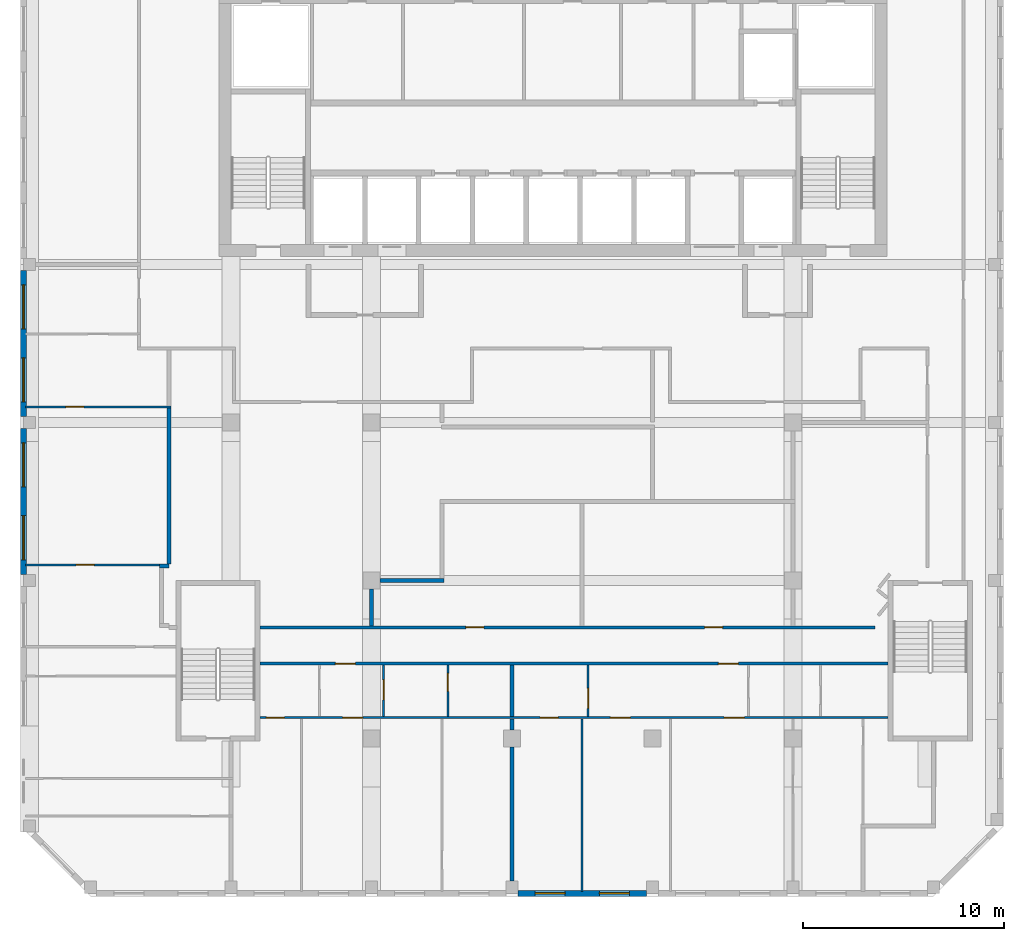
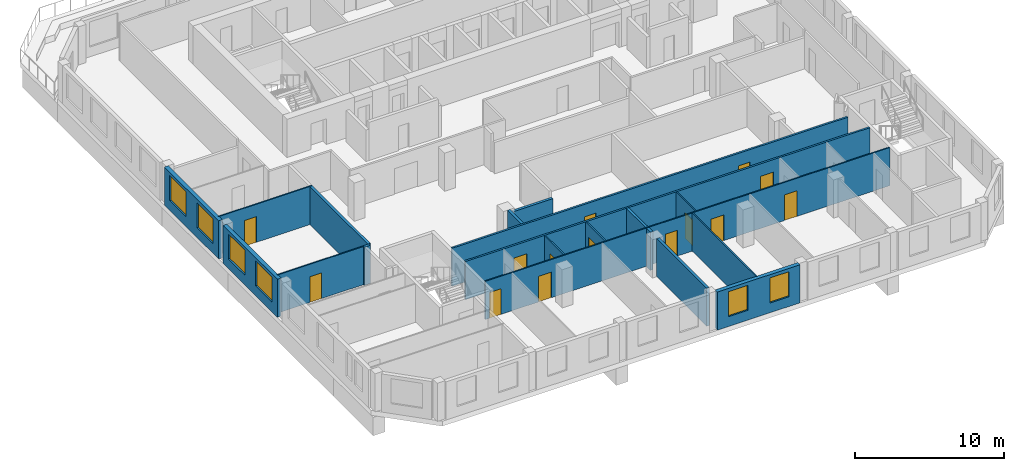
# One storey, part 3 of 12: 19 walls, 14 doors, 6 windows, 20 openings.
"""IFC4 building model written with IfcOpenShell, lengths in metres."""

from ifc_helpers import new_model, si_unit, direction, frame, frame_2d, origin, place, context, subcontext, project, spatial, rectangle, extrude, source, transform, mapped, material, layer, layer_set, type_object, element, fill, save


model = new_model("IFC4")

# Units and contexts
model_context = context("Model", 3, precision=1e-05, world=origin(), true_north=direction((0.0, 1.0)))
body_context = subcontext(model_context, "Body", "Model", "MODEL_VIEW")
ifc_project = project(units=[si_unit("LENGTHUNIT", "METRE"), si_unit("AREAUNIT", "SQUARE_METRE"), si_unit("VOLUMEUNIT", "CUBIC_METRE"), si_unit("PLANEANGLEUNIT", "RADIAN"), si_unit("MASSUNIT", "GRAM", prefix="KILO")], contexts=[model_context])

# Site, building, storey
site_placement = place(None, origin())
site = spatial("IfcSite", under=ifc_project, at=site_placement, CompositionType="ELEMENT")
building_placement = place(site_placement, origin())
building = spatial("IfcBuilding", under=site, at=building_placement, Name="Kilnfold Tower and Market Hall", CompositionType="ELEMENT")
storey_placement = place(building_placement, frame((0.0, 0.0, 295.0)))
storey = spatial("IfcBuildingStorey", under=building, at=storey_placement, Name="L73", CompositionType="ELEMENT", Elevation=295.0)

# Wall, openings, doors
ifc_material_1 = material(Name="Gypsum board on steel studs", Category="steel")
ifc_layer_1 = layer(ifc_material_1, 0.14990234375)
ifc_layer_set_1 = layer_set([ifc_layer_1], Name="Gypsum board on steel studs")
wall_type_1 = type_object("IfcWallType", Name="WALL CORRIDOR 150", PredefinedType="PARTITIONING", material=ifc_layer_set_1)
wall_1_placement = place(storey_placement, frame((-13.550048828125, -11.89990234375, 0.0), z_axis=(0.0, 0.0, 1.0), x_axis=(1.0, 0.0, 0.0)))
wall_1 = element("IfcWall", 1, at=wall_1_placement, inside=storey, type_object=wall_type_1, Name="Partition LY45.4", PredefinedType="PARTITIONING", context=body_context, shape_type="SweptSolid", body=[
    extrude(rectangle(XDim=31.300048828125, YDim=0.14990234375, at=frame_2d((15.64990234375, 0.0))), origin(), (0.0, 0.0, 1.0), 3.1201171875),
])
opening_1_placement = place(wall_1_placement, frame((3.7470703125, 0.0, 0.0)))
opening_1 = element("IfcOpeningElement", 2, at=opening_1_placement, cuts=wall_1, Name="Opening D1", PredefinedType="OPENING", context=body_context, shape_type="SweptSolid", body=[
    extrude(rectangle(XDim=1.0, YDim=2.10009765625, at=frame_2d((0.5, 1.050048828125))), frame((0.0, 0.0849609375, 0.0), z_axis=(0.0, -1.0, 0.0), x_axis=(1.0, 0.0, 0.0)), (0.0, 0.0, 1.0), 0.169921875),
])
opening_2_placement = place(wall_1_placement, frame((22.8349609375, 0.0, 0.0)))
opening_2 = element("IfcOpeningElement", 3, at=opening_2_placement, cuts=wall_1, Name="Opening D1", PredefinedType="OPENING", context=body_context, shape_type="SweptSolid", body=[
    extrude(rectangle(XDim=1.0, YDim=2.10009765625, at=frame_2d((0.5, 1.050048828125))), frame((0.0, 0.0849609375, 0.0), z_axis=(0.0, -1.0, 0.0), x_axis=(1.0, 0.0, 0.0)), (0.0, 0.0, 1.0), 0.169921875),
])
ifc_material_2 = material(Name="Timber veneer door leaf in steel frame", Category="steel")
door_type_1 = type_object("IfcDoorType", Name="DOOR ENTRY 1000 X2100", OperationType="NOTDEFINED", PredefinedType="DOOR", material=ifc_material_2)
door_1_placement = place(opening_1_placement, origin())
door_1 = element("IfcDoor", 4, at=door_1_placement, inside=storey, type_object=door_type_1, Name="Door D1", OperationType="SINGLE_SWING_LEFT", OverallHeight=2.10009765625, OverallWidth=1.0, PredefinedType="DOOR", context=body_context, shape_type="SweptSolid", body=[
    extrude(rectangle(XDim=1.0, YDim=2.10009765625, at=frame_2d((0.5, 1.050048828125))), frame((0.0, 0.02490234375, 0.0), z_axis=(0.0, -1.0, 0.0), x_axis=(1.0, 0.0, 0.0)), (0.0, 0.0, 1.0), 0.050048828125),
])
fill(opening_1, door_1)
door_2_placement = place(opening_2_placement, origin())
door_2 = element("IfcDoor", 5, at=door_2_placement, inside=storey, type_object=door_type_1, Name="Door D1", OperationType="SINGLE_SWING_LEFT", OverallHeight=2.10009765625, OverallWidth=1.0, PredefinedType="DOOR", context=body_context, shape_type="SweptSolid", body=[
    extrude(rectangle(XDim=1.0, YDim=2.10009765625, at=frame_2d((0.5, 1.050048828125))), frame((0.0, 0.02490234375, 0.0), z_axis=(0.0, -1.0, 0.0), x_axis=(1.0, 0.0, 0.0)), (0.0, 0.0, 1.0), 0.050048828125),
])
fill(opening_2, door_2)

wall_2_placement = place(storey_placement, frame((-13.550048828125, -10.10009765625, 0.0), z_axis=(0.0, 0.0, 1.0), x_axis=(1.0, 0.0, 0.0)))
wall_2 = element("IfcWall", 6, at=wall_2_placement, inside=storey, type_object=wall_type_1, Name="Partition LY45.11", PredefinedType="PARTITIONING", context=body_context, shape_type="SweptSolid", body=[
    extrude(rectangle(XDim=30.650146484375, YDim=0.14990234375, at=frame_2d((15.3251953125, 0.0))), origin(), (0.0, 0.0, 1.0), 3.1201171875),
])
opening_3_placement = place(wall_2_placement, frame((10.25, 0.0, 0.0)))
opening_3 = element("IfcOpeningElement", 7, at=opening_3_placement, cuts=wall_2, Name="Opening D2", PredefinedType="OPENING", context=body_context, shape_type="SweptSolid", body=[
    extrude(rectangle(XDim=0.89990234375, YDim=2.10009765625, at=frame_2d((0.449951171875, 1.050048828125))), frame((0.0, 0.0849609375, 0.0), z_axis=(0.0, -1.0, 0.0), x_axis=(1.0, 0.0, 0.0)), (0.0, 0.0, 1.0), 0.169921875),
])
opening_4_placement = place(wall_2_placement, frame((22.153076171875, 0.0, 0.0)))
opening_4 = element("IfcOpeningElement", 8, at=opening_4_placement, cuts=wall_2, Name="Opening D2", PredefinedType="OPENING", context=body_context, shape_type="SweptSolid", body=[
    extrude(rectangle(XDim=0.89990234375, YDim=2.10009765625, at=frame_2d((0.449951171875, 1.050048828125))), frame((0.0, 0.0849609375, 0.0), z_axis=(0.0, -1.0, 0.0), x_axis=(1.0, 0.0, 0.0)), (0.0, 0.0, 1.0), 0.169921875),
])
ifc_material_3 = material(Name="Timber veneer door leaf in steel frame", Category="steel")
door_type_2 = type_object("IfcDoorType", Name="DOOR ROOM 900 X2100", OperationType="NOTDEFINED", PredefinedType="DOOR", material=ifc_material_3)
door_3_placement = place(opening_3_placement, origin())
door_3 = element("IfcDoor", 9, at=door_3_placement, inside=storey, type_object=door_type_2, Name="Door D2", OperationType="SINGLE_SWING_RIGHT", OverallHeight=2.10009765625, OverallWidth=0.89990234375, PredefinedType="DOOR", context=body_context, shape_type="SweptSolid", body=[
    extrude(rectangle(XDim=0.89990234375, YDim=2.10009765625, at=frame_2d((0.449951171875, 1.050048828125))), frame((0.0, 0.02490234375, 0.0), z_axis=(0.0, -1.0, 0.0), x_axis=(1.0, 0.0, 0.0)), (0.0, 0.0, 1.0), 0.050048828125),
])
fill(opening_3, door_3)
door_4_placement = place(opening_4_placement, origin())
door_4 = element("IfcDoor", 10, at=door_4_placement, inside=storey, type_object=door_type_2, Name="Door D2", OperationType="SINGLE_SWING_RIGHT", OverallHeight=2.10009765625, OverallWidth=0.89990234375, PredefinedType="DOOR", context=body_context, shape_type="SweptSolid", body=[
    extrude(rectangle(XDim=0.89990234375, YDim=2.10009765625, at=frame_2d((0.449951171875, 1.050048828125))), frame((0.0, 0.02490234375, 0.0), z_axis=(0.0, -1.0, 0.0), x_axis=(1.0, 0.0, 0.0)), (0.0, 0.0, 1.0), 0.050048828125),
])
fill(opening_4, door_4)

# Wall, opening, door
ifc_material_4 = material(Name="Gypsum board on steel studs", Category="steel")
ifc_layer_2 = layer(ifc_material_4, 0.10009765625)
ifc_layer_set_2 = layer_set([ifc_layer_2], Name="Gypsum board on steel studs")
wall_type_2 = type_object("IfcWallType", Name="WALL PARTITION 100", PredefinedType="PARTITIONING", material=ifc_layer_set_2)
wall_3_placement = place(storey_placement, frame((-18.58203125, -6.98095703125, 0.0), z_axis=(0.0, 0.0, 1.0), x_axis=(-1.0, 0.0, 0.0)))
wall_3 = element("IfcWall", 11, at=wall_3_placement, inside=storey, type_object=wall_type_2, Name="Partition LY45.30", PredefinedType="PARTITIONING", context=body_context, shape_type="SweptSolid", body=[
    extrude(rectangle(XDim=6.66796875, YDim=0.10009765625, at=frame_2d((3.333984375, 0.0))), origin(), (0.0, 0.0, 1.0), 3.1201171875),
])
opening_5_placement = place(wall_3_placement, frame((3.2490234375, 0.0, 0.0)))
opening_5 = element("IfcOpeningElement", 12, at=opening_5_placement, cuts=wall_3, Name="Opening D2", PredefinedType="OPENING", context=body_context, shape_type="SweptSolid", body=[
    extrude(rectangle(XDim=0.89990234375, YDim=2.10009765625, at=frame_2d((0.449951171875, 1.050048828125))), frame((0.0, 0.06005859375, 0.0), z_axis=(0.0, -1.0, 0.0), x_axis=(1.0, 0.0, 0.0)), (0.0, 0.0, 1.0), 0.1201171875),
])
door_5_placement = place(opening_5_placement, origin())
door_5 = element("IfcDoor", 13, at=door_5_placement, inside=storey, type_object=door_type_2, Name="Door D2", OperationType="SINGLE_SWING_RIGHT", OverallHeight=2.10009765625, OverallWidth=0.89990234375, PredefinedType="DOOR", context=body_context, shape_type="SweptSolid", body=[
    extrude(rectangle(XDim=0.89990234375, YDim=2.10009765625, at=frame_2d((0.449951171875, 1.050048828125))), frame((0.0, 0.02490234375, 0.0), z_axis=(0.0, -1.0, 0.0), x_axis=(1.0, 0.0, 0.0)), (0.0, 0.0, 1.0), 0.050048828125),
])
fill(opening_5, door_5)

wall_4_placement = place(storey_placement, frame((-18.0, 0.89404296875, 0.0), z_axis=(0.0, 0.0, 1.0), x_axis=(-1.0, 0.0, 0.0)))
wall_4 = element("IfcWall", 14, at=wall_4_placement, inside=storey, type_object=wall_type_2, Name="Partition LY45.35", PredefinedType="PARTITIONING", context=body_context, shape_type="SweptSolid", body=[
    extrude(rectangle(XDim=7.25, YDim=0.10009765625, at=frame_2d((3.625, 0.0))), origin(), (0.0, 0.0, 1.0), 3.1201171875),
])
opening_6_placement = place(wall_4_placement, frame((4.3349609375, 0.0, 0.0)))
opening_6 = element("IfcOpeningElement", 15, at=opening_6_placement, cuts=wall_4, Name="Opening D2", PredefinedType="OPENING", context=body_context, shape_type="SweptSolid", body=[
    extrude(rectangle(XDim=0.89990234375, YDim=2.10009765625, at=frame_2d((0.449951171875, 1.050048828125))), frame((0.0, 0.06005859375, 0.0), z_axis=(0.0, -1.0, 0.0), x_axis=(1.0, 0.0, 0.0)), (0.0, 0.0, 1.0), 0.1201171875),
])
door_6_placement = place(opening_6_placement, origin())
door_6 = element("IfcDoor", 16, at=door_6_placement, inside=storey, type_object=door_type_2, Name="Door D2", OperationType="SINGLE_SWING_LEFT", OverallHeight=2.10009765625, OverallWidth=0.89990234375, PredefinedType="DOOR", context=body_context, shape_type="SweptSolid", body=[
    extrude(rectangle(XDim=0.89990234375, YDim=2.10009765625, at=frame_2d((0.449951171875, 1.050048828125))), frame((0.0, 0.02490234375, 0.0), z_axis=(0.0, -1.0, 0.0), x_axis=(1.0, 0.0, 0.0)), (0.0, 0.0, 1.0), 0.050048828125),
])
fill(opening_6, door_6)

# Wall, openings, doors
wall_5_placement = place(storey_placement, frame((-13.550048828125, -14.60009765625, 0.0), z_axis=(0.0, 0.0, 1.0), x_axis=(1.0, 0.0, 0.0)))
wall_5 = element("IfcWall", 17, at=wall_5_placement, inside=storey, type_object=wall_type_2, Name="Partition LY45.41", PredefinedType="PARTITIONING", context=body_context, shape_type="SweptSolid", body=[
    extrude(rectangle(XDim=31.300048828125, YDim=0.10009765625, at=frame_2d((15.64990234375, 0.0))), origin(), (0.0, 0.0, 1.0), 3.1201171875),
])
opening_7_placement = place(wall_5_placement, frame((0.30908203125, 0.0, 0.0)))
opening_7 = element("IfcOpeningElement", 18, at=opening_7_placement, cuts=wall_5, Name="Opening D2", PredefinedType="OPENING", context=body_context, shape_type="SweptSolid", body=[
    extrude(rectangle(XDim=0.89990234375, YDim=2.10009765625, at=frame_2d((0.449951171875, 1.050048828125))), frame((0.0, 0.06005859375, 0.0), z_axis=(0.0, -1.0, 0.0), x_axis=(1.0, 0.0, 0.0)), (0.0, 0.0, 1.0), 0.1201171875),
])
opening_8_placement = place(wall_5_placement, frame((4.10302734375, 0.0, 0.0)))
opening_8 = element("IfcOpeningElement", 19, at=opening_8_placement, cuts=wall_5, Name="Opening D1", PredefinedType="OPENING", context=body_context, shape_type="SweptSolid", body=[
    extrude(rectangle(XDim=1.0, YDim=2.10009765625, at=frame_2d((0.5, 1.050048828125))), frame((0.0, 0.06005859375, 0.0), z_axis=(0.0, -1.0, 0.0), x_axis=(1.0, 0.0, 0.0)), (0.0, 0.0, 1.0), 0.1201171875),
])
opening_9_placement = place(wall_5_placement, frame((13.955078125, 0.0, 0.0)))
opening_9 = element("IfcOpeningElement", 20, at=opening_9_placement, cuts=wall_5, Name="Opening D2", PredefinedType="OPENING", context=body_context, shape_type="SweptSolid", body=[
    extrude(rectangle(XDim=0.89990234375, YDim=2.10009765625, at=frame_2d((0.449951171875, 1.050048828125))), frame((0.0, 0.06005859375, 0.0), z_axis=(0.0, -1.0, 0.0), x_axis=(1.0, 0.0, 0.0)), (0.0, 0.0, 1.0), 0.1201171875),
])
opening_10_placement = place(wall_5_placement, frame((17.452880859375, 0.0, 0.0)))
opening_10 = element("IfcOpeningElement", 21, at=opening_10_placement, cuts=wall_5, Name="Opening D1", PredefinedType="OPENING", context=body_context, shape_type="SweptSolid", body=[
    extrude(rectangle(XDim=1.0, YDim=2.10009765625, at=frame_2d((0.5, 1.050048828125))), frame((0.0, 0.06005859375, 0.0), z_axis=(0.0, -1.0, 0.0), x_axis=(1.0, 0.0, 0.0)), (0.0, 0.0, 1.0), 0.1201171875),
])
opening_11_placement = place(wall_5_placement, frame((23.1298828125, 0.0, 0.0)))
opening_11 = element("IfcOpeningElement", 22, at=opening_11_placement, cuts=wall_5, Name="Opening D1", PredefinedType="OPENING", context=body_context, shape_type="SweptSolid", body=[
    extrude(rectangle(XDim=1.0, YDim=2.10009765625, at=frame_2d((0.5, 1.050048828125))), frame((0.0, 0.06005859375, 0.0), z_axis=(0.0, -1.0, 0.0), x_axis=(1.0, 0.0, 0.0)), (0.0, 0.0, 1.0), 0.1201171875),
])
door_7_placement = place(opening_8_placement, origin())
door_7 = element("IfcDoor", 23, at=door_7_placement, inside=storey, type_object=door_type_1, Name="Door D1", OperationType="SINGLE_SWING_RIGHT", OverallHeight=2.10009765625, OverallWidth=1.0, PredefinedType="DOOR", context=body_context, shape_type="SweptSolid", body=[
    extrude(rectangle(XDim=1.0, YDim=2.10009765625, at=frame_2d((0.5, 1.050048828125))), frame((0.0, 0.02490234375, 0.0), z_axis=(0.0, -1.0, 0.0), x_axis=(1.0, 0.0, 0.0)), (0.0, 0.0, 1.0), 0.050048828125),
])
fill(opening_8, door_7)
door_8_placement = place(opening_10_placement, origin())
door_8 = element("IfcDoor", 24, at=door_8_placement, inside=storey, type_object=door_type_1, Name="Door D1", OperationType="SINGLE_SWING_RIGHT", OverallHeight=2.10009765625, OverallWidth=1.0, PredefinedType="DOOR", context=body_context, shape_type="SweptSolid", body=[
    extrude(rectangle(XDim=1.0, YDim=2.10009765625, at=frame_2d((0.5, 1.050048828125))), frame((0.0, 0.02490234375, 0.0), z_axis=(0.0, -1.0, 0.0), x_axis=(1.0, 0.0, 0.0)), (0.0, 0.0, 1.0), 0.050048828125),
])
fill(opening_10, door_8)
door_9_placement = place(opening_11_placement, origin())
door_9 = element("IfcDoor", 25, at=door_9_placement, inside=storey, type_object=door_type_1, Name="Door D1", OperationType="SINGLE_SWING_LEFT", OverallHeight=2.10009765625, OverallWidth=1.0, PredefinedType="DOOR", context=body_context, shape_type="SweptSolid", body=[
    extrude(rectangle(XDim=1.0, YDim=2.10009765625, at=frame_2d((0.5, 1.050048828125))), frame((0.0, 0.02490234375, 0.0), z_axis=(0.0, -1.0, 0.0), x_axis=(1.0, 0.0, 0.0)), (0.0, 0.0, 1.0), 0.050048828125),
])
fill(opening_11, door_9)
door_10_placement = place(opening_7_placement, origin())
door_10 = element("IfcDoor", 26, at=door_10_placement, inside=storey, type_object=door_type_2, Name="Door D2", OperationType="SINGLE_SWING_RIGHT", OverallHeight=2.10009765625, OverallWidth=0.89990234375, PredefinedType="DOOR", context=body_context, shape_type="SweptSolid", body=[
    extrude(rectangle(XDim=0.89990234375, YDim=2.10009765625, at=frame_2d((0.449951171875, 1.050048828125))), frame((0.0, 0.02490234375, 0.0), z_axis=(0.0, -1.0, 0.0), x_axis=(1.0, 0.0, 0.0)), (0.0, 0.0, 1.0), 0.050048828125),
])
fill(opening_7, door_10)
door_11_placement = place(opening_9_placement, origin())
door_11 = element("IfcDoor", 27, at=door_11_placement, inside=storey, type_object=door_type_2, Name="Door D2", OperationType="SINGLE_SWING_LEFT", OverallHeight=2.10009765625, OverallWidth=0.89990234375, PredefinedType="DOOR", context=body_context, shape_type="SweptSolid", body=[
    extrude(rectangle(XDim=0.89990234375, YDim=2.10009765625, at=frame_2d((0.449951171875, 1.050048828125))), frame((0.0, 0.02490234375, 0.0), z_axis=(0.0, -1.0, 0.0), x_axis=(1.0, 0.0, 0.0)), (0.0, 0.0, 1.0), 0.050048828125),
])
fill(opening_9, door_11)

# Wall, opening, door
wall_6_placement = place(storey_placement, frame((-7.39990234375, -14.550048828125, 0.0), z_axis=(0.0, 0.0, 1.0), x_axis=(0.0, 1.0, 0.0)))
wall_6 = element("IfcWall", 28, at=wall_6_placement, inside=storey, type_object=wall_type_2, Name="Partition LY45.42", PredefinedType="PARTITIONING", context=body_context, shape_type="SweptSolid", body=[
    extrude(rectangle(XDim=2.572998046875, YDim=0.10009765625, at=frame_2d((1.28662109375, 0.0))), origin(), (0.0, 0.0, 1.0), 3.1201171875),
])
opening_12_placement = place(wall_6_placement, frame((0.840087890625, 0.0, 0.0)))
opening_12 = element("IfcOpeningElement", 29, at=opening_12_placement, cuts=wall_6, Name="Opening D1", PredefinedType="OPENING", context=body_context, shape_type="SweptSolid", body=[
    extrude(rectangle(XDim=1.0, YDim=2.10009765625, at=frame_2d((0.5, 1.050048828125))), frame((0.0, 0.06005859375, 0.0), z_axis=(0.0, -1.0, 0.0), x_axis=(1.0, 0.0, 0.0)), (0.0, 0.0, 1.0), 0.1201171875),
])
door_12_placement = place(opening_12_placement, origin())
door_12 = element("IfcDoor", 30, at=door_12_placement, inside=storey, type_object=door_type_1, Name="Door D1", OperationType="SINGLE_SWING_LEFT", OverallHeight=2.10009765625, OverallWidth=1.0, PredefinedType="DOOR", context=body_context, shape_type="SweptSolid", body=[
    extrude(rectangle(XDim=1.0, YDim=2.10009765625, at=frame_2d((0.5, 1.050048828125))), frame((0.0, 0.02490234375, 0.0), z_axis=(0.0, -1.0, 0.0), x_axis=(1.0, 0.0, 0.0)), (0.0, 0.0, 1.0), 0.050048828125),
])
fill(opening_12, door_12)

wall_7_placement = place(storey_placement, frame((-4.199951171875, -14.550048828125, 0.0), z_axis=(0.0, 0.0, 1.0), x_axis=(0.0, 1.0, 0.0)))
wall_7 = element("IfcWall", 31, at=wall_7_placement, inside=storey, type_object=wall_type_2, Name="Partition LY45.43", PredefinedType="PARTITIONING", context=body_context, shape_type="SweptSolid", body=[
    extrude(rectangle(XDim=2.572998046875, YDim=0.10009765625, at=frame_2d((1.28662109375, 0.0))), origin(), (0.0, 0.0, 1.0), 3.1201171875),
])
opening_13_placement = place(wall_7_placement, frame((1.260986328125, 0.0, 0.0)))
opening_13 = element("IfcOpeningElement", 32, at=opening_13_placement, cuts=wall_7, Name="Opening D2", PredefinedType="OPENING", context=body_context, shape_type="SweptSolid", body=[
    extrude(rectangle(XDim=0.89990234375, YDim=2.10009765625, at=frame_2d((0.449951171875, 1.050048828125))), frame((0.0, 0.06005859375, 0.0), z_axis=(0.0, -1.0, 0.0), x_axis=(1.0, 0.0, 0.0)), (0.0, 0.0, 1.0), 0.1201171875),
])
door_13_placement = place(opening_13_placement, origin())
door_13 = element("IfcDoor", 33, at=door_13_placement, inside=storey, type_object=door_type_2, Name="Door D2", OperationType="SINGLE_SWING_LEFT", OverallHeight=2.10009765625, OverallWidth=0.89990234375, PredefinedType="DOOR", context=body_context, shape_type="SweptSolid", body=[
    extrude(rectangle(XDim=0.89990234375, YDim=2.10009765625, at=frame_2d((0.449951171875, 1.050048828125))), frame((0.0, 0.02490234375, 0.0), z_axis=(0.0, -1.0, 0.0), x_axis=(1.0, 0.0, 0.0)), (0.0, 0.0, 1.0), 0.050048828125),
])
fill(opening_13, door_13)

wall_8_placement = place(storey_placement, frame((2.800048828125, -14.550048828125, 0.0), z_axis=(0.0, 0.0, 1.0), x_axis=(0.0, 1.0, 0.0)))
wall_8 = element("IfcWall", 34, at=wall_8_placement, inside=storey, type_object=wall_type_2, Name="Partition LY45.49", PredefinedType="PARTITIONING", context=body_context, shape_type="SweptSolid", body=[
    extrude(rectangle(XDim=2.572998046875, YDim=0.10009765625, at=frame_2d((1.28662109375, 0.0))), origin(), (0.0, 0.0, 1.0), 3.1201171875),
])
opening_14_placement = place(wall_8_placement, frame((0.4130859375, 0.0, 0.0)))
opening_14 = element("IfcOpeningElement", 35, at=opening_14_placement, cuts=wall_8, Name="Opening D1", PredefinedType="OPENING", context=body_context, shape_type="SweptSolid", body=[
    extrude(rectangle(XDim=1.0, YDim=2.10009765625, at=frame_2d((0.5, 1.050048828125))), frame((0.0, 0.06005859375, 0.0), z_axis=(0.0, -1.0, 0.0), x_axis=(1.0, 0.0, 0.0)), (0.0, 0.0, 1.0), 0.1201171875),
])
door_14_placement = place(opening_14_placement, origin())
door_14 = element("IfcDoor", 36, at=door_14_placement, inside=storey, type_object=door_type_1, Name="Door D1", OperationType="SINGLE_SWING_RIGHT", OverallHeight=2.10009765625, OverallWidth=1.0, PredefinedType="DOOR", context=body_context, shape_type="SweptSolid", body=[
    extrude(rectangle(XDim=1.0, YDim=2.10009765625, at=frame_2d((0.5, 1.050048828125))), frame((0.0, 0.02490234375, 0.0), z_axis=(0.0, -1.0, 0.0), x_axis=(1.0, 0.0, 0.0)), (0.0, 0.0, 1.0), 0.050048828125),
])
fill(opening_14, door_14)

# Walls
wall_9_placement = place(storey_placement, frame((2.5, -23.25, 0.0), z_axis=(0.0, 0.0, 1.0), x_axis=(0.0, 1.0, 0.0)))
element("IfcWall", 37, at=wall_9_placement, inside=storey, type_object=wall_type_2, Name="Partition LY45.52", PredefinedType="PARTITIONING", context=body_context, shape_type="SweptSolid", body=[
    extrude(rectangle(XDim=8.597900390625, YDim=0.10009765625, at=frame_2d((4.298828125, 0.0))), origin(), (0.0, 0.0, 1.0), 3.1201171875),
])
ifc_material_5 = material(Name="Gypsum board on steel studs", Category="steel")
ifc_layer_3 = layer(ifc_material_5, 0.199951171875)
ifc_layer_set_3 = layer_set([ifc_layer_3], Name="Gypsum board on steel studs")
wall_type_3 = type_object("IfcWallType", Name="WALL PARTY 200", PredefinedType="PARTITIONING", material=ifc_layer_set_3)
wall_10_placement = place(storey_placement, frame((-18.58203125, -7.029052734375, 0.0), z_axis=(0.0, 0.0, 1.0), x_axis=(1.0, 0.0, 0.0)))
element("IfcWall", 38, at=wall_10_placement, inside=storey, type_object=wall_type_3, Name="Partition LY45.32", PredefinedType="PARTITIONING", context=body_context, shape_type="SweptSolid", body=[
    extrude(rectangle(XDim=0.48193359375, YDim=0.199951171875, at=frame_2d((0.240966796875, 0.0))), origin(), (0.0, 0.0, 1.0), 3.1201171875),
])
wall_11_placement = place(storey_placement, frame((-18.10009765625, -6.930908203125, 0.0), z_axis=(0.0, 0.0, 1.0), x_axis=(0.0, 1.0, 0.0)))
element("IfcWall", 39, at=wall_11_placement, inside=storey, type_object=wall_type_3, Name="Partition LY45.36", PredefinedType="PARTITIONING", context=body_context, shape_type="SweptSolid", body=[
    extrude(rectangle(XDim=7.77490234375, YDim=0.199951171875, at=frame_2d((3.887451171875, 0.0))), origin(), (0.0, 0.0, 1.0), 3.1201171875),
])
wall_12_placement = place(storey_placement, frame((-1.0, -14.550048828125, 0.0), z_axis=(0.0, 0.0, 1.0), x_axis=(0.0, 1.0, 0.0)))
element("IfcWall", 40, at=wall_12_placement, inside=storey, type_object=wall_type_3, Name="Partition LY45.44", PredefinedType="PARTITIONING", context=body_context, shape_type="SweptSolid", body=[
    extrude(rectangle(XDim=2.572998046875, YDim=0.199951171875, at=frame_2d((1.28662109375, 0.0))), origin(), (0.0, 0.0, 1.0), 3.1201171875),
])
wall_13_placement = place(storey_placement, frame((-1.0, -15.199951171875, 0.0), z_axis=(0.0, 0.0, 1.0), x_axis=(0.0, 1.0, 0.0)))
element("IfcWall", 41, at=wall_13_placement, inside=storey, type_object=wall_type_3, Name="Partition LY45.47", PredefinedType="PARTITIONING", context=body_context, shape_type="SweptSolid", body=[
    extrude(rectangle(XDim=0.5478515625, YDim=0.199951171875, at=frame_2d((0.27392578125, 0.0))), origin(), (0.0, 0.0, 1.0), 3.1201171875),
])
wall_14_placement = place(storey_placement, frame((-1.0, -22.75, 0.0), z_axis=(0.0, 0.0, 1.0), x_axis=(0.0, 1.0, 0.0)))
element("IfcWall", 42, at=wall_14_placement, inside=storey, type_object=wall_type_3, Name="Partition LY45.48", PredefinedType="PARTITIONING", context=body_context, shape_type="SweptSolid", body=[
    extrude(rectangle(XDim=6.699951171875, YDim=0.199951171875, at=frame_2d((3.35009765625, 0.0))), origin(), (0.0, 0.0, 1.0), 3.1201171875),
])
wall_15_placement = place(storey_placement, frame((-7.574951171875, -7.75, 0.0), z_axis=(0.0, 0.0, 1.0), x_axis=(1.0, 0.0, 0.0)))
element("IfcWall", 43, at=wall_15_placement, inside=storey, type_object=wall_type_3, Name="Partition LY45.64", PredefinedType="PARTITIONING", context=body_context, shape_type="SweptSolid", body=[
    extrude(rectangle(XDim=3.175048828125, YDim=0.199951171875, at=frame_2d((1.58740234375, 0.0))), origin(), (0.0, 0.0, 1.0), 2.570068359375),
])
wall_16_placement = place(storey_placement, frame((-8.0, -10.02294921875, 0.0), z_axis=(0.0, 0.0, 1.0), x_axis=(0.0, 1.0, 0.0)))
element("IfcWall", 44, at=wall_16_placement, inside=storey, type_object=wall_type_3, Name="Partition LY45.65", PredefinedType="PARTITIONING", context=body_context, shape_type="SweptSolid", body=[
    extrude(rectangle(XDim=1.847900390625, YDim=0.199951171875, at=frame_2d((0.923828125, 0.0))), origin(), (0.0, 0.0, 1.0), 3.1201171875),
])

# Wall, openings, windows
ifc_material_6 = material(Name="Precast concrete C50/60", Category="concrete")
ifc_layer_4 = layer(ifc_material_6, 0.300048828125)
ifc_layer_set_4 = layer_set([ifc_layer_4], Name="Precast concrete C50/60")
wall_type_4 = type_object("IfcWallType", Name="PRECAST WALL 300", PredefinedType="SOLIDWALL", material=ifc_layer_set_4)
shared_shape_1 = source(origin(), body_context, "Body", "SweptSolid", [
    extrude(rectangle(XDim=6.39990234375, YDim=0.300048828125, at=frame_2d((3.199951171875, 0.0))), origin(), (0.0, 0.0, 1.0), 3.1201171875),
])
wall_17_placement = place(storey_placement, frame((-0.699951171875, -23.35009765625, 0.0), z_axis=(0.0, 0.0, 1.0), x_axis=(1.0, 0.0, 0.0)))
wall_17 = element("IfcWall", 45, at=wall_17_placement, inside=storey, type_object=wall_type_4, Name="External wall L73 S", PredefinedType="SOLIDWALL", context=body_context, shape_type="MappedRepresentation", body=[
    mapped(shared_shape_1, transform((0.0, 0.0, 0.0))),
])
opening_15_placement = place(wall_17_placement, frame((0.85009765625, 0.0, 0.800048828125)))
opening_15 = element("IfcOpeningElement", 46, at=opening_15_placement, cuts=wall_17, Name="Opening W5", PredefinedType="OPENING", context=body_context, shape_type="SweptSolid", body=[
    extrude(rectangle(XDim=1.5, YDim=2.050048828125, at=frame_2d((0.75, 1.02490234375))), frame((0.0, 0.16015625, 0.0), z_axis=(0.0, -1.0, 0.0), x_axis=(1.0, 0.0, 0.0)), (0.0, 0.0, 1.0), 0.320068359375),
])
opening_16_placement = place(wall_17_placement, frame((4.050048828125, 0.0, 0.800048828125)))
opening_16 = element("IfcOpeningElement", 47, at=opening_16_placement, cuts=wall_17, Name="Opening W5", PredefinedType="OPENING", context=body_context, shape_type="SweptSolid", body=[
    extrude(rectangle(XDim=1.5, YDim=2.050048828125, at=frame_2d((0.75, 1.02490234375))), frame((0.0, 0.16015625, 0.0), z_axis=(0.0, -1.0, 0.0), x_axis=(1.0, 0.0, 0.0)), (0.0, 0.0, 1.0), 0.320068359375),
])
ifc_material_7 = material(Name="Aluminium frame and double glazing", Category="aluminium")
window_type_1 = type_object("IfcWindowType", Name="WINDOW W5 1500X2050", PartitioningType="SINGLE_PANEL", PredefinedType="WINDOW", material=ifc_material_7)
window_1_placement = place(opening_15_placement, origin())
window_1 = element("IfcWindow", 48, at=window_1_placement, inside=storey, type_object=window_type_1, Name="Window W5 L73 S-1", OverallHeight=2.050048828125, OverallWidth=1.5, PartitioningType="SINGLE_PANEL", PredefinedType="WINDOW", context=body_context, shape_type="SweptSolid", body=[
    extrude(rectangle(XDim=1.5, YDim=2.050048828125, at=frame_2d((0.75, 1.02490234375))), frame((0.0, 0.030029296875, 0.0), z_axis=(0.0, -1.0, 0.0), x_axis=(1.0, 0.0, 0.0)), (0.0, 0.0, 1.0), 0.06005859375),
])
fill(opening_15, window_1)
window_2_placement = place(opening_16_placement, origin())
window_2 = element("IfcWindow", 49, at=window_2_placement, inside=storey, type_object=window_type_1, Name="Window W5 L73 S-2", OverallHeight=2.050048828125, OverallWidth=1.5, PartitioningType="SINGLE_PANEL", PredefinedType="WINDOW", context=body_context, shape_type="SweptSolid", body=[
    extrude(rectangle(XDim=1.5, YDim=2.050048828125, at=frame_2d((0.75, 1.02490234375))), frame((0.0, 0.030029296875, 0.0), z_axis=(0.0, -1.0, 0.0), x_axis=(1.0, 0.0, 0.0)), (0.0, 0.0, 1.0), 0.06005859375),
])
fill(opening_16, window_2)

shared_shape_2 = source(origin(), body_context, "Body", "SweptSolid", [
    extrude(rectangle(XDim=7.27490234375, YDim=0.300048828125, at=frame_2d((3.637451171875, 0.0))), origin(), (0.0, 0.0, 1.0), 3.1201171875),
])
wall_18_placement = place(storey_placement, frame((-25.35009765625, 7.699951171875, 0.0), z_axis=(0.0, 0.0, 1.0), x_axis=(0.0, -1.0, 0.0)))
wall_18 = element("IfcWall", 50, at=wall_18_placement, inside=storey, type_object=wall_type_4, Name="External wall L73 W", PredefinedType="SOLIDWALL", context=body_context, shape_type="MappedRepresentation", body=[
    mapped(shared_shape_2, transform((0.0, 0.0, 0.0))),
])
opening_17_placement = place(wall_18_placement, frame((0.71875, 0.0, 0.800048828125)))
opening_17 = element("IfcOpeningElement", 51, at=opening_17_placement, cuts=wall_18, Name="Opening W3", PredefinedType="OPENING", context=body_context, shape_type="SweptSolid", body=[
    extrude(rectangle(XDim=2.199951171875, YDim=2.050048828125, at=frame_2d((1.10009765625, 1.02490234375))), frame((0.0, 0.16015625, 0.0), z_axis=(0.0, -1.0, 0.0), x_axis=(1.0, 0.0, 0.0)), (0.0, 0.0, 1.0), 0.320068359375),
])
opening_18_placement = place(wall_18_placement, frame((4.356201171875, 0.0, 0.800048828125)))
opening_18 = element("IfcOpeningElement", 52, at=opening_18_placement, cuts=wall_18, Name="Opening W3", PredefinedType="OPENING", context=body_context, shape_type="SweptSolid", body=[
    extrude(rectangle(XDim=2.199951171875, YDim=2.050048828125, at=frame_2d((1.10009765625, 1.02490234375))), frame((0.0, 0.16015625, 0.0), z_axis=(0.0, -1.0, 0.0), x_axis=(1.0, 0.0, 0.0)), (0.0, 0.0, 1.0), 0.320068359375),
])
ifc_material_8 = material(Name="Aluminium frame and double glazing", Category="aluminium")
window_type_2 = type_object("IfcWindowType", Name="WINDOW W3 2200X2050", PartitioningType="SINGLE_PANEL", PredefinedType="WINDOW", material=ifc_material_8)
window_3_placement = place(opening_17_placement, origin())
window_3 = element("IfcWindow", 53, at=window_3_placement, inside=storey, type_object=window_type_2, Name="Window W3 L73 W-1", OverallHeight=2.050048828125, OverallWidth=2.199951171875, PartitioningType="SINGLE_PANEL", PredefinedType="WINDOW", context=body_context, shape_type="SweptSolid", body=[
    extrude(rectangle(XDim=2.199951171875, YDim=2.050048828125, at=frame_2d((1.10009765625, 1.02490234375))), frame((0.0, 0.030029296875, 0.0), z_axis=(0.0, -1.0, 0.0), x_axis=(1.0, 0.0, 0.0)), (0.0, 0.0, 1.0), 0.06005859375),
])
fill(opening_17, window_3)
window_4_placement = place(opening_18_placement, origin())
window_4 = element("IfcWindow", 54, at=window_4_placement, inside=storey, type_object=window_type_2, Name="Window W3 L73 W-2", OverallHeight=2.050048828125, OverallWidth=2.199951171875, PartitioningType="SINGLE_PANEL", PredefinedType="WINDOW", context=body_context, shape_type="SweptSolid", body=[
    extrude(rectangle(XDim=2.199951171875, YDim=2.050048828125, at=frame_2d((1.10009765625, 1.02490234375))), frame((0.0, 0.030029296875, 0.0), z_axis=(0.0, -1.0, 0.0), x_axis=(1.0, 0.0, 0.0)), (0.0, 0.0, 1.0), 0.06005859375),
])
fill(opening_18, window_4)

wall_19_placement = place(storey_placement, frame((-25.35009765625, -0.175048828125, 0.0), z_axis=(0.0, 0.0, 1.0), x_axis=(0.0, -1.0, 0.0)))
wall_19 = element("IfcWall", 55, at=wall_19_placement, inside=storey, type_object=wall_type_4, Name="External wall L73 W", PredefinedType="SOLIDWALL", context=body_context, shape_type="MappedRepresentation", body=[
    mapped(shared_shape_2, transform((0.0, 0.0, 0.0))),
])
opening_19_placement = place(wall_19_placement, frame((0.71875, 0.0, 0.800048828125)))
opening_19 = element("IfcOpeningElement", 56, at=opening_19_placement, cuts=wall_19, Name="Opening W3", PredefinedType="OPENING", context=body_context, shape_type="SweptSolid", body=[
    extrude(rectangle(XDim=2.199951171875, YDim=2.050048828125, at=frame_2d((1.10009765625, 1.02490234375))), frame((0.0, 0.16015625, 0.0), z_axis=(0.0, -1.0, 0.0), x_axis=(1.0, 0.0, 0.0)), (0.0, 0.0, 1.0), 0.320068359375),
])
opening_20_placement = place(wall_19_placement, frame((4.356201171875, 0.0, 0.800048828125)))
opening_20 = element("IfcOpeningElement", 57, at=opening_20_placement, cuts=wall_19, Name="Opening W3", PredefinedType="OPENING", context=body_context, shape_type="SweptSolid", body=[
    extrude(rectangle(XDim=2.199951171875, YDim=2.050048828125, at=frame_2d((1.10009765625, 1.02490234375))), frame((0.0, 0.16015625, 0.0), z_axis=(0.0, -1.0, 0.0), x_axis=(1.0, 0.0, 0.0)), (0.0, 0.0, 1.0), 0.320068359375),
])
window_5_placement = place(opening_19_placement, origin())
window_5 = element("IfcWindow", 58, at=window_5_placement, inside=storey, type_object=window_type_2, Name="Window W3 L73 W-1", OverallHeight=2.050048828125, OverallWidth=2.199951171875, PartitioningType="SINGLE_PANEL", PredefinedType="WINDOW", context=body_context, shape_type="SweptSolid", body=[
    extrude(rectangle(XDim=2.199951171875, YDim=2.050048828125, at=frame_2d((1.10009765625, 1.02490234375))), frame((0.0, 0.030029296875, 0.0), z_axis=(0.0, -1.0, 0.0), x_axis=(1.0, 0.0, 0.0)), (0.0, 0.0, 1.0), 0.06005859375),
])
fill(opening_19, window_5)
window_6_placement = place(opening_20_placement, origin())
window_6 = element("IfcWindow", 59, at=window_6_placement, inside=storey, type_object=window_type_2, Name="Window W3 L73 W-2", OverallHeight=2.050048828125, OverallWidth=2.199951171875, PartitioningType="SINGLE_PANEL", PredefinedType="WINDOW", context=body_context, shape_type="SweptSolid", body=[
    extrude(rectangle(XDim=2.199951171875, YDim=2.050048828125, at=frame_2d((1.10009765625, 1.02490234375))), frame((0.0, 0.030029296875, 0.0), z_axis=(0.0, -1.0, 0.0), x_axis=(1.0, 0.0, 0.0)), (0.0, 0.0, 1.0), 0.06005859375),
])
fill(opening_20, window_6)

save(model, "model.ifc")
